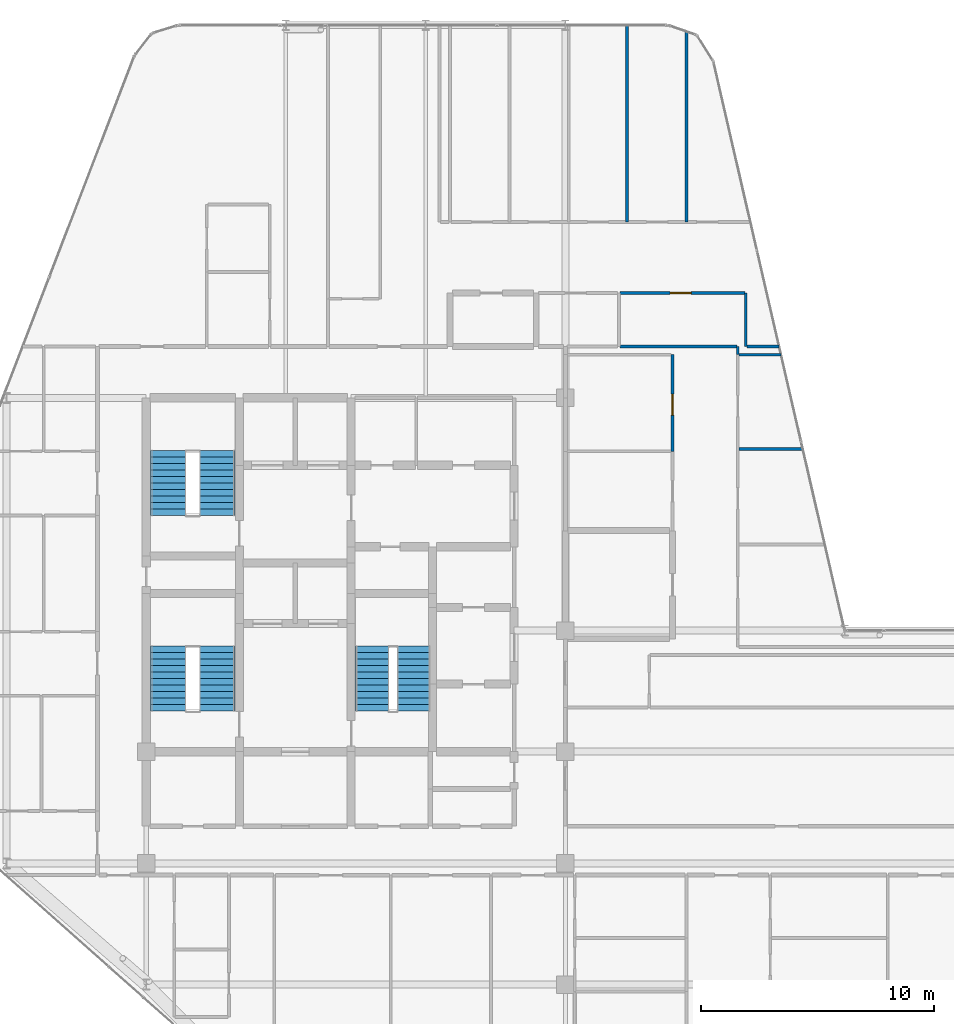
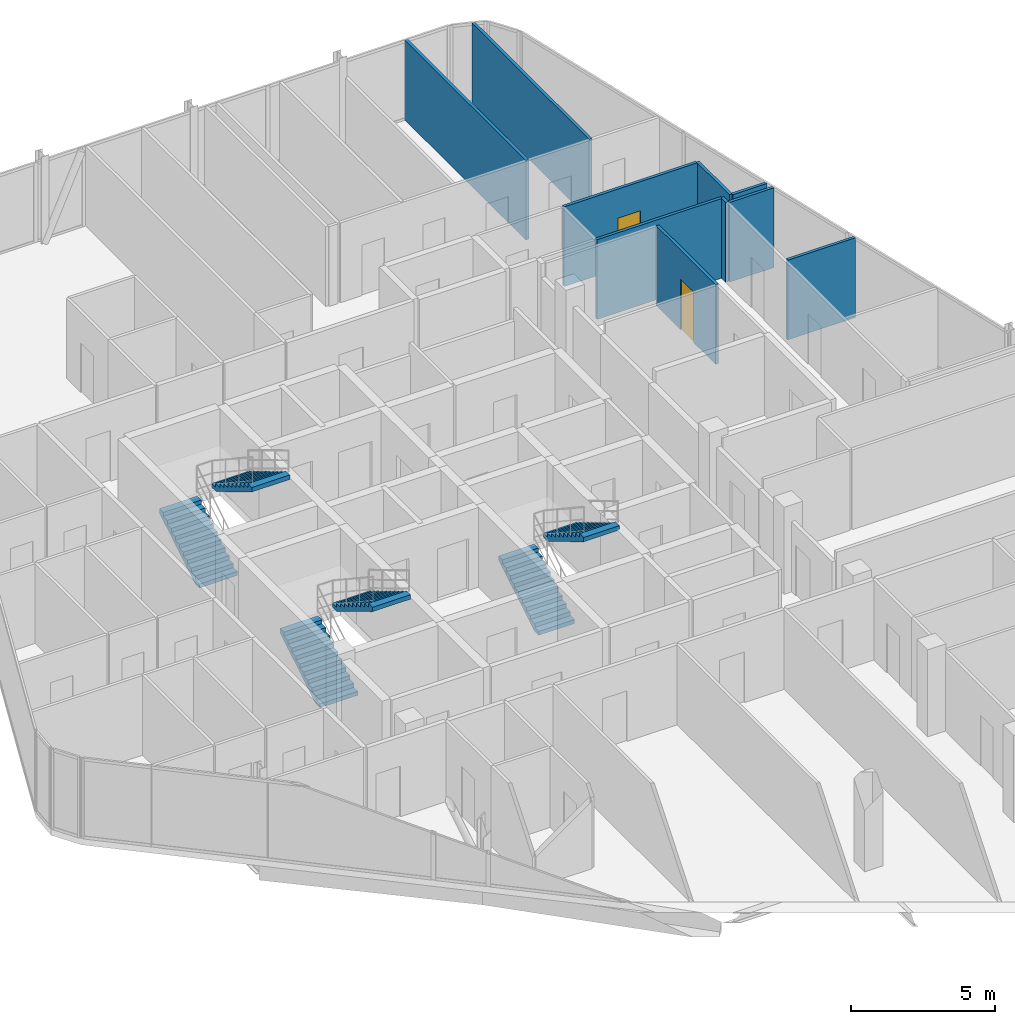
# One storey, part 28 of 29: 10 walls, 6 stair flights, 2 doors, 2 openings, 3 elements without a shape of their own.
"""IFC4 building model written with IfcOpenShell, lengths in metres."""

from ifc_helpers import new_model, si_unit, direction, frame, frame_2d, origin, place, context, subcontext, project, spatial, polyline, rectangle, outline, extrude, material, layer, layer_set, type_object, element, fill, aggregate, save


model = new_model("IFC4")

# Units and contexts
model_context = context("Model", 3, precision=1e-05, world=origin(), true_north=direction((0.0, 1.0)))
body_context = subcontext(model_context, "Body", "Model", "MODEL_VIEW")
ifc_project = project(units=[si_unit("LENGTHUNIT", "METRE"), si_unit("AREAUNIT", "SQUARE_METRE"), si_unit("VOLUMEUNIT", "CUBIC_METRE"), si_unit("PLANEANGLEUNIT", "RADIAN"), si_unit("MASSUNIT", "GRAM", prefix="KILO")], contexts=[model_context])

# Site, building, storey
site_placement = place(None, origin())
site = spatial("IfcSite", under=ifc_project, at=site_placement, CompositionType="ELEMENT")
building_placement = place(site_placement, origin())
building = spatial("IfcBuilding", under=site, at=building_placement, Name="Keshet Zoharim Tower", CompositionType="ELEMENT")
storey_placement = place(building_placement, frame((0.0, 0.0, 230.199951171875)))
storey = spatial("IfcBuildingStorey", under=building, at=storey_placement, Name="L57", CompositionType="ELEMENT", Elevation=230.199951171875)

# Wall
ifc_material_1 = material(Name="Gypsum Plasterboard", Category="gypsum")
ifc_layer = layer(ifc_material_1, 0.1201171875)
ifc_layer_set = layer_set([ifc_layer], Name="Gypsum Plasterboard")
wall_type = type_object("IfcWallType", Name="WL-PART-120", PredefinedType="PARTITIONING", material=ifc_layer_set)
wall_1_placement = place(storey_placement, frame((35.64990234375, 45.449951171875, 0.0), z_axis=(0.0, 0.0, 1.0), x_axis=(0.0, 1.0, 0.0)))
element("IfcWall", 1, at=wall_1_placement, inside=storey, type_object=wall_type, Name="L57 Interior Wall 075", PredefinedType="PARTITIONING", context=body_context, shape_type="SweptSolid", body=[
    extrude(rectangle(XDim=8.43994140625, YDim=0.1201171875, at=frame_2d((4.219970703125, 0.0))), origin(), (0.0, 0.0, 1.0), 3.39013671875),
])

# Wall, opening, door
wall_2_placement = place(storey_placement, frame((37.60009765625, 35.60205078125, 0.0), z_axis=(0.0, 0.0, 1.0), x_axis=(0.0, 1.0, 0.0)))
wall_2 = element("IfcWall", 2, at=wall_2_placement, inside=storey, type_object=wall_type, Name="L57 Interior Wall 079", PredefinedType="PARTITIONING", context=body_context, shape_type="SweptSolid", body=[
    extrude(rectangle(XDim=4.14794921875, YDim=0.1201171875, at=frame_2d((2.073974609375, 0.0))), origin(), (0.0, 0.0, 1.0), 3.39013671875),
])
opening_1_placement = place(wall_2_placement, frame((1.552001953125, 0.0, 0.0)))
opening_1 = element("IfcOpeningElement", 3, at=opening_1_placement, cuts=wall_2, Name="Opening D-IN90", PredefinedType="OPENING", context=body_context, shape_type="SweptSolid", body=[
    extrude(rectangle(XDim=0.89990234375, YDim=2.14990234375, at=frame_2d((0.449951171875, 1.074951171875))), frame((0.0, 0.070068359375, 0.0), z_axis=(0.0, -1.0, 0.0), x_axis=(1.0, 0.0, 0.0)), (0.0, 0.0, 1.0), 0.14013671875),
])
ifc_material_2 = material(Name="Hardwood Timber", Category="wood")
door_type = type_object("IfcDoorType", Name="DR-INT-090", OperationType="NOTDEFINED", PredefinedType="DOOR", material=ifc_material_2)
door_1_placement = place(opening_1_placement, origin())
door_1 = element("IfcDoor", 4, at=door_1_placement, inside=storey, type_object=door_type, Name="Apartment 5710 Kitchen Door", OperationType="SINGLE_SWING_LEFT", OverallHeight=2.14990234375, OverallWidth=0.89990234375, PredefinedType="DOOR", context=body_context, shape_type="SweptSolid", body=[
    extrude(rectangle(XDim=0.89990234375, YDim=2.14990234375, at=frame_2d((0.449951171875, 1.074951171875))), frame((0.0, 0.02490234375, 0.0), z_axis=(0.0, -1.0, 0.0), x_axis=(1.0, 0.0, 0.0)), (0.0, 0.0, 1.0), 0.050048828125),
])
fill(opening_1, door_1)

# Walls
wall_3_placement = place(storey_placement, frame((38.199951171875, 45.449951171875, 0.0), z_axis=(0.0, 0.0, 1.0), x_axis=(0.0, 1.0, 0.0)))
element("IfcWall", 5, at=wall_3_placement, inside=storey, type_object=wall_type, Name="L57 Interior Wall 083", PredefinedType="PARTITIONING", context=body_context, shape_type="SweptSolid", body=[
    extrude(rectangle(XDim=8.1640625, YDim=0.1201171875, at=frame_2d((4.08203125, 0.0))), origin(), (0.0, 0.0, 1.0), 3.39013671875),
])
wall_4_placement = place(storey_placement, frame((40.39990234375, 39.75, 0.0), z_axis=(0.0, 0.0, 1.0), x_axis=(0.0, 1.0, 0.0)))
element("IfcWall", 6, at=wall_4_placement, inside=storey, type_object=wall_type, Name="L57 Interior Wall 086", PredefinedType="PARTITIONING", context=body_context, shape_type="SweptSolid", body=[
    extrude(rectangle(XDim=0.35009765625, YDim=0.1201171875, at=frame_2d((0.175048828125, 0.0))), origin(), (0.0, 0.0, 1.0), 3.39013671875),
])
wall_5_placement = place(storey_placement, frame((40.75, 40.10009765625, 0.0), z_axis=(0.0, 0.0, 1.0), x_axis=(0.0, 1.0, 0.0)))
element("IfcWall", 7, at=wall_5_placement, inside=storey, type_object=wall_type, Name="L57 Interior Wall 087", PredefinedType="PARTITIONING", context=body_context, shape_type="SweptSolid", body=[
    extrude(rectangle(XDim=2.2998046875, YDim=0.1201171875, at=frame_2d((1.14990234375, 0.0))), origin(), (0.0, 0.0, 1.0), 3.39013671875),
])
wall_6_placement = place(storey_placement, frame((40.465087890625, 35.699951171875, 0.0), z_axis=(0.0, 0.0, 1.0), x_axis=(1.0, 0.0, 0.0)))
element("IfcWall", 8, at=wall_6_placement, inside=storey, type_object=wall_type, Name="L57 Interior Wall 167", PredefinedType="PARTITIONING", context=body_context, shape_type="SweptSolid", body=[
    extrude(rectangle(XDim=2.724853515625, YDim=0.1201171875, at=frame_2d((1.3623046875, 0.0))), origin(), (0.0, 0.0, 1.0), 3.39013671875),
])
wall_7_placement = place(storey_placement, frame((40.465087890625, 39.75, 0.0), z_axis=(0.0, 0.0, 1.0), x_axis=(1.0, 0.0, 0.0)))
element("IfcWall", 9, at=wall_7_placement, inside=storey, type_object=wall_type, Name="L57 Interior Wall 173", PredefinedType="PARTITIONING", context=body_context, shape_type="SweptSolid", body=[
    extrude(rectangle(XDim=1.791015625, YDim=0.1201171875, at=frame_2d((0.8955078125, 0.0))), origin(), (0.0, 0.0, 1.0), 3.39013671875),
])
wall_8_placement = place(storey_placement, frame((35.3359375, 40.10009765625, 0.0), z_axis=(0.0, 0.0, 1.0), x_axis=(1.0, 0.0, 0.0)))
element("IfcWall", 10, at=wall_8_placement, inside=storey, type_object=wall_type, Name="L57 Interior Wall 183", PredefinedType="PARTITIONING", context=body_context, shape_type="SweptSolid", body=[
    extrude(rectangle(XDim=5.0390625, YDim=0.1201171875, at=frame_2d((2.51953125, 0.0))), origin(), (0.0, 0.0, 1.0), 3.39013671875),
])
wall_9_placement = place(storey_placement, frame((40.797119140625, 40.10009765625, 0.0), z_axis=(0.0, 0.0, 1.0), x_axis=(1.0, 0.0, 0.0)))
element("IfcWall", 11, at=wall_9_placement, inside=storey, type_object=wall_type, Name="L57 Interior Wall 184", PredefinedType="PARTITIONING", context=body_context, shape_type="SweptSolid", body=[
    extrude(rectangle(XDim=1.3779296875, YDim=0.1201171875, at=frame_2d((0.68896484375, 0.0))), origin(), (0.0, 0.0, 1.0), 3.39013671875),
])

# Wall, opening, door
wall_10_placement = place(storey_placement, frame((35.3359375, 42.39990234375, 0.0), z_axis=(0.0, 0.0, 1.0), x_axis=(1.0, 0.0, 0.0)))
wall_10 = element("IfcWall", 12, at=wall_10_placement, inside=storey, type_object=wall_type, Name="L57 Interior Wall 188", PredefinedType="PARTITIONING", context=body_context, shape_type="SweptSolid", body=[
    extrude(rectangle(XDim=5.37109375, YDim=0.1201171875, at=frame_2d((2.685546875, 0.0))), origin(), (0.0, 0.0, 1.0), 3.39013671875),
])
opening_2_placement = place(wall_10_placement, frame((2.1650390625, 0.0, 0.0)))
opening_2 = element("IfcOpeningElement", 13, at=opening_2_placement, cuts=wall_10, Name="Opening D-IN90", PredefinedType="OPENING", context=body_context, shape_type="SweptSolid", body=[
    extrude(rectangle(XDim=0.89990234375, YDim=2.14990234375, at=frame_2d((0.449951171875, 1.074951171875))), frame((0.0, 0.070068359375, 0.0), z_axis=(0.0, -1.0, 0.0), x_axis=(1.0, 0.0, 0.0)), (0.0, 0.0, 1.0), 0.14013671875),
])
door_2_placement = place(opening_2_placement, origin())
door_2 = element("IfcDoor", 14, at=door_2_placement, inside=storey, type_object=door_type, Name="Apartment 5706 Kitchen Door", OperationType="SINGLE_SWING_RIGHT", OverallHeight=2.14990234375, OverallWidth=0.89990234375, PredefinedType="DOOR", context=body_context, shape_type="SweptSolid", body=[
    extrude(rectangle(XDim=0.89990234375, YDim=2.14990234375, at=frame_2d((0.449951171875, 1.074951171875))), frame((0.0, 0.02490234375, 0.0), z_axis=(0.0, -1.0, 0.0), x_axis=(1.0, 0.0, 0.0)), (0.0, 0.0, 1.0), 0.050048828125),
])
fill(opening_2, door_2)

# Stair, stair flights
ifc_material_3 = material(Name="Concrete C50/60", Category="concrete")
stair_type = type_object("IfcStairType", Name="STR-EXIT-135", PredefinedType="HALF_TURN_STAIR", material=ifc_material_3)
stair_1_placement = place(storey_placement, origin())
stair_1 = element("IfcStair", 15, at=stair_1_placement, inside=storey, type_object=stair_type, Name="L57 Enclosed Exit Stair ST-01", PredefinedType="HALF_TURN_STAIR")
stair_flight_type_1 = type_object("IfcStairFlightType", Name="FLT-PRE-135", PredefinedType="STRAIGHT", material=ifc_material_3)
stair_flight_1_placement = place(storey_placement, frame((15.945068359375, 24.43994140625, 0.0), z_axis=(0.0, 0.0, 1.0), x_axis=(0.0, 1.0, 0.0)))
stair_flight_1 = element("IfcStairFlight", 16, at=stair_flight_1_placement, type_object=stair_flight_type_1, Name="ST-01 flight 1", NumberOfRisers=11, NumberOfTreads=10, PredefinedType="STRAIGHT", RiserHeight=0.168182, TreadLength=0.28, context=body_context, shape_type="SweptSolid", body=[
    extrude(outline(polyline([(0.0, 0.0), (0.0, 0.168212890625), (0.280029296875, 0.168212890625), (0.280029296875, 0.33642578125), (0.56005859375, 0.33642578125), (0.56005859375, 0.504638671875), (0.840087890625, 0.504638671875), (0.840087890625, 0.672607421875), (1.1201171875, 0.672607421875), (1.1201171875, 0.8408203125), (1.39990234375, 0.8408203125), (1.39990234375, 1.009033203125), (1.679931640625, 1.009033203125), (1.679931640625, 1.17724609375), (1.9599609375, 1.17724609375), (1.9599609375, 1.345458984375), (2.239990234375, 1.345458984375), (2.239990234375, 1.513671875), (2.52001953125, 1.513671875), (2.52001953125, 1.681884765625), (2.800048828125, 1.681884765625), (2.800048828125, 1.85009765625), (2.800048828125, 1.495361328125), (0.310546875, 0.0), (0.0, 0.0)])), frame((0.0, 0.76513671875, 0.0), z_axis=(0.0, -1.0, 0.0), x_axis=(1.0, 0.0, 0.0)), (0.0, 0.0, 1.0), 1.530029296875),
])
stair_flight_2_placement = place(storey_placement, frame((18.054931640625, 27.239990234375, 1.85009765625), z_axis=(0.0, 0.0, 1.0), x_axis=(0.0, -1.0, 0.0)))
stair_flight_2 = element("IfcStairFlight", 17, at=stair_flight_2_placement, type_object=stair_flight_type_1, Name="ST-01 flight 2", NumberOfRisers=11, NumberOfTreads=10, PredefinedType="STRAIGHT", RiserHeight=0.168182, TreadLength=0.28, context=body_context, shape_type="SweptSolid", body=[
    extrude(outline(polyline([(0.0, 0.0), (0.0, 0.168212890625), (0.280029296875, 0.168212890625), (0.280029296875, 0.33642578125), (0.56005859375, 0.33642578125), (0.56005859375, 0.504638671875), (0.840087890625, 0.504638671875), (0.840087890625, 0.672607421875), (1.1201171875, 0.672607421875), (1.1201171875, 0.8408203125), (1.39990234375, 0.8408203125), (1.39990234375, 1.009033203125), (1.679931640625, 1.009033203125), (1.679931640625, 1.17724609375), (1.9599609375, 1.17724609375), (1.9599609375, 1.345458984375), (2.239990234375, 1.345458984375), (2.239990234375, 1.513671875), (2.52001953125, 1.513671875), (2.52001953125, 1.681884765625), (2.800048828125, 1.681884765625), (2.800048828125, 1.85009765625), (2.800048828125, 1.495361328125), (0.310546875, 0.0), (0.0, 0.0)])), frame((0.0, 0.76513671875, 0.0), z_axis=(0.0, -1.0, 0.0), x_axis=(1.0, 0.0, 0.0)), (0.0, 0.0, 1.0), 1.530029296875),
])
aggregate(stair_1, [stair_flight_1, stair_flight_2])

stair_2_placement = place(storey_placement, origin())
stair_2 = element("IfcStair", 18, at=stair_2_placement, inside=storey, type_object=stair_type, Name="L57 Enclosed Exit Stair ST-02", PredefinedType="HALF_TURN_STAIR")
stair_flight_3_placement = place(storey_placement, frame((15.945068359375, 32.840087890625, 0.0), z_axis=(0.0, 0.0, 1.0), x_axis=(0.0, 1.0, 0.0)))
stair_flight_3 = element("IfcStairFlight", 19, at=stair_flight_3_placement, type_object=stair_flight_type_1, Name="ST-02 flight 1", NumberOfRisers=11, NumberOfTreads=10, PredefinedType="STRAIGHT", RiserHeight=0.168182, TreadLength=0.28, context=body_context, shape_type="SweptSolid", body=[
    extrude(outline(polyline([(0.0, 0.0), (0.0, 0.168212890625), (0.280029296875, 0.168212890625), (0.280029296875, 0.33642578125), (0.56005859375, 0.33642578125), (0.56005859375, 0.504638671875), (0.840087890625, 0.504638671875), (0.840087890625, 0.672607421875), (1.1201171875, 0.672607421875), (1.1201171875, 0.8408203125), (1.39990234375, 0.8408203125), (1.39990234375, 1.009033203125), (1.679931640625, 1.009033203125), (1.679931640625, 1.17724609375), (1.9599609375, 1.17724609375), (1.9599609375, 1.345458984375), (2.239990234375, 1.345458984375), (2.239990234375, 1.513671875), (2.52001953125, 1.513671875), (2.52001953125, 1.681884765625), (2.800048828125, 1.681884765625), (2.800048828125, 1.85009765625), (2.800048828125, 1.495361328125), (0.310546875, 0.0), (0.0, 0.0)])), frame((0.0, 0.76513671875, 0.0), z_axis=(0.0, -1.0, 0.0), x_axis=(1.0, 0.0, 0.0)), (0.0, 0.0, 1.0), 1.530029296875),
])
stair_flight_4_placement = place(storey_placement, frame((18.054931640625, 35.639892578125, 1.85009765625), z_axis=(0.0, 0.0, 1.0), x_axis=(0.0, -1.0, 0.0)))
stair_flight_4 = element("IfcStairFlight", 20, at=stair_flight_4_placement, type_object=stair_flight_type_1, Name="ST-02 flight 2", NumberOfRisers=11, NumberOfTreads=10, PredefinedType="STRAIGHT", RiserHeight=0.168182, TreadLength=0.28, context=body_context, shape_type="SweptSolid", body=[
    extrude(outline(polyline([(0.0, 0.0), (0.0, 0.168212890625), (0.280029296875, 0.168212890625), (0.280029296875, 0.33642578125), (0.56005859375, 0.33642578125), (0.56005859375, 0.504638671875), (0.840087890625, 0.504638671875), (0.840087890625, 0.672607421875), (1.1201171875, 0.672607421875), (1.1201171875, 0.8408203125), (1.39990234375, 0.8408203125), (1.39990234375, 1.009033203125), (1.679931640625, 1.009033203125), (1.679931640625, 1.17724609375), (1.9599609375, 1.17724609375), (1.9599609375, 1.345458984375), (2.239990234375, 1.345458984375), (2.239990234375, 1.513671875), (2.52001953125, 1.513671875), (2.52001953125, 1.681884765625), (2.800048828125, 1.681884765625), (2.800048828125, 1.85009765625), (2.800048828125, 1.495361328125), (0.310546875, 0.0), (0.0, 0.0)])), frame((0.0, 0.76513671875, 0.0), z_axis=(0.0, -1.0, 0.0), x_axis=(1.0, 0.0, 0.0)), (0.0, 0.0, 1.0), 1.530029296875),
])
aggregate(stair_2, [stair_flight_3, stair_flight_4])

stair_3_placement = place(storey_placement, origin())
stair_3 = element("IfcStair", 21, at=stair_3_placement, inside=storey, type_object=stair_type, Name="L57 Enclosed Exit Stair ST-03", PredefinedType="HALF_TURN_STAIR")
stair_flight_type_2 = type_object("IfcStairFlightType", Name="FLT-PRE-144", PredefinedType="STRAIGHT", material=ifc_material_3)
stair_flight_5_placement = place(storey_placement, frame((24.699951171875, 24.43994140625, 0.0), z_axis=(0.0, 0.0, 1.0), x_axis=(0.0, 1.0, 0.0)))
stair_flight_5 = element("IfcStairFlight", 22, at=stair_flight_5_placement, type_object=stair_flight_type_2, Name="ST-03 flight 1", NumberOfRisers=11, NumberOfTreads=10, PredefinedType="STRAIGHT", RiserHeight=0.168182, TreadLength=0.28, context=body_context, shape_type="SweptSolid", body=[
    extrude(outline(polyline([(0.0, 0.0), (0.0, 0.168212890625), (0.280029296875, 0.168212890625), (0.280029296875, 0.33642578125), (0.56005859375, 0.33642578125), (0.56005859375, 0.504638671875), (0.840087890625, 0.504638671875), (0.840087890625, 0.672607421875), (1.1201171875, 0.672607421875), (1.1201171875, 0.8408203125), (1.39990234375, 0.8408203125), (1.39990234375, 1.009033203125), (1.679931640625, 1.009033203125), (1.679931640625, 1.17724609375), (1.9599609375, 1.17724609375), (1.9599609375, 1.345458984375), (2.239990234375, 1.345458984375), (2.239990234375, 1.513671875), (2.52001953125, 1.513671875), (2.52001953125, 1.681884765625), (2.800048828125, 1.681884765625), (2.800048828125, 1.85009765625), (2.800048828125, 1.495361328125), (0.310546875, 0.0), (0.0, 0.0)])), frame((0.0, 0.719970703125, 0.0), z_axis=(0.0, -1.0, 0.0), x_axis=(1.0, 0.0, 0.0)), (0.0, 0.0, 1.0), 1.43994140625),
])
stair_flight_6_placement = place(storey_placement, frame((26.5, 27.239990234375, 1.85009765625), z_axis=(0.0, 0.0, 1.0), x_axis=(0.0, -1.0, 0.0)))
stair_flight_6 = element("IfcStairFlight", 23, at=stair_flight_6_placement, type_object=stair_flight_type_2, Name="ST-03 flight 2", NumberOfRisers=11, NumberOfTreads=10, PredefinedType="STRAIGHT", RiserHeight=0.168182, TreadLength=0.28, context=body_context, shape_type="SweptSolid", body=[
    extrude(outline(polyline([(0.0, 0.0), (0.0, 0.168212890625), (0.280029296875, 0.168212890625), (0.280029296875, 0.33642578125), (0.56005859375, 0.33642578125), (0.56005859375, 0.504638671875), (0.840087890625, 0.504638671875), (0.840087890625, 0.672607421875), (1.1201171875, 0.672607421875), (1.1201171875, 0.8408203125), (1.39990234375, 0.8408203125), (1.39990234375, 1.009033203125), (1.679931640625, 1.009033203125), (1.679931640625, 1.17724609375), (1.9599609375, 1.17724609375), (1.9599609375, 1.345458984375), (2.239990234375, 1.345458984375), (2.239990234375, 1.513671875), (2.52001953125, 1.513671875), (2.52001953125, 1.681884765625), (2.800048828125, 1.681884765625), (2.800048828125, 1.85009765625), (2.800048828125, 1.495361328125), (0.310546875, 0.0), (0.0, 0.0)])), frame((0.0, 0.719970703125, 0.0), z_axis=(0.0, -1.0, 0.0), x_axis=(1.0, 0.0, 0.0)), (0.0, 0.0, 1.0), 1.43994140625),
])
aggregate(stair_3, [stair_flight_5, stair_flight_6])

save(model, "model.ifc")
